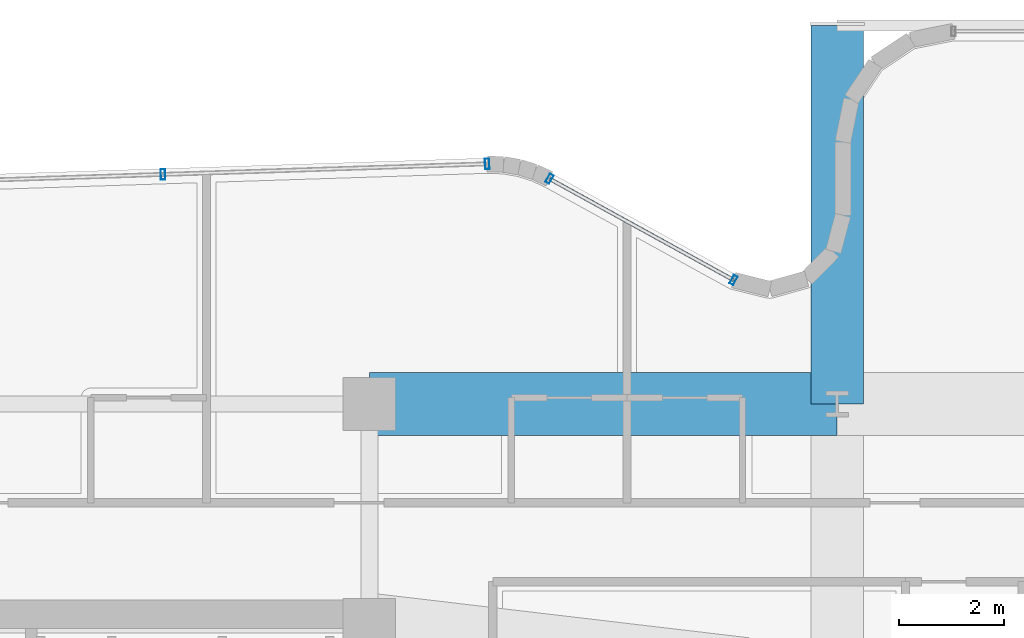
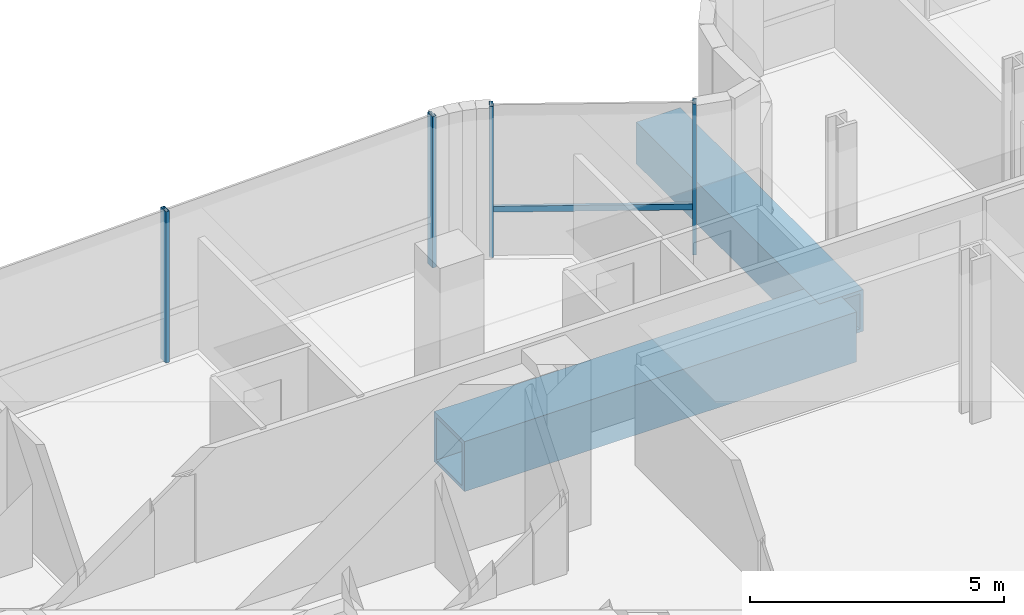
# One storey, part 20 of 36: 5 members, 2 beams, 2 elements without a shape of their own.
"""IFC4 building model written with IfcOpenShell, lengths in metres."""

from ifc_helpers import new_model, si_unit, direction, frame, origin, origin_2d, place, context, subcontext, project, spatial, hollow_rectangle, extrude, source, transform, mapped, material, material_profile, profile_set, type_object, element, aggregate, save


model = new_model("IFC4")

# Units and contexts
model_context = context("Model", 3, precision=1e-05, world=origin(), true_north=direction((0.0, 1.0)))
body_context = subcontext(model_context, "Body", "Model", "MODEL_VIEW")
ifc_project = project(units=[si_unit("LENGTHUNIT", "METRE"), si_unit("AREAUNIT", "SQUARE_METRE"), si_unit("VOLUMEUNIT", "CUBIC_METRE"), si_unit("PLANEANGLEUNIT", "RADIAN"), si_unit("MASSUNIT", "GRAM", prefix="KILO")], contexts=[model_context])

# Site, building, storey
site_placement = place(None, origin())
site = spatial("IfcSite", under=ifc_project, at=site_placement, CompositionType="ELEMENT")
building_placement = place(site_placement, origin())
building = spatial("IfcBuilding", under=site, at=building_placement, Name="Valdorenza Pilgrim Sanctuary Tower", CompositionType="ELEMENT")
storey_placement = place(building_placement, frame((0.0, 0.0, 176.550048828125)))
storey = spatial("IfcBuildingStorey", under=building, at=storey_placement, Name="L45", CompositionType="ELEMENT", Elevation=176.550048828125)

# Beams
ifc_material_1 = material(Name="Steel ASTM A572 Grade 42", Category="steel")
ifc_material_profile_1 = material_profile(ifc_material_1, hollow_rectangle(XDim=1.199951171875, YDim=1.199951171875, WallThickness=0.090087890625, at=origin_2d()), Name="BOX 1200x1200x90")
ifc_profile_set_1 = profile_set([ifc_material_profile_1], Name="Steel ASTM A572 Grade 42")
beam_type_1 = type_object("IfcBeamType", Name="STR-BM-TRF-1200", PredefinedType="BEAM", material=ifc_profile_set_1)
shared_shape_1 = source(origin(), body_context, "Body", "SweptSolid", [
    extrude(hollow_rectangle(XDim=1.199951171875, YDim=1.199951171875, WallThickness=0.090087890625, at=origin_2d()), origin(), (0.0, 0.0, 1.0), 8.89990234375),
])
beam_1_placement = place(storey_placement, frame((-12.39990234375, 14.800048828125, -0.920166015625), z_axis=(1.0, 0.0, 0.0), x_axis=(0.0, 1.0, 0.0)))
element("IfcBeam", 1, at=beam_1_placement, inside=storey, type_object=beam_type_1, Name="L45 Portal Bridge Transfer Girder PRY-G1-P14", PredefinedType="BEAM", context=body_context, shape_type="MappedRepresentation", body=[
    mapped(shared_shape_1, transform((0.0, 0.0, 0.0), x_axis=(1.0, 0.0, 0.0), y_axis=(0.0, 1.0, 0.0), z_axis=(0.0, 0.0, 1.0), scale=1.0)),
])
ifc_material_profile_2 = material_profile(ifc_material_1, hollow_rectangle(XDim=1.0, YDim=1.0, WallThickness=0.080078125, at=origin_2d()), Name="BOX 1000x1000x80")
ifc_profile_set_2 = profile_set([ifc_material_profile_2], Name="Steel ASTM A572 Grade 42")
beam_type_2 = type_object("IfcBeamType", Name="STR-BM-PROW-CANT", PredefinedType="BEAM", material=ifc_profile_set_2)
shared_shape_2 = source(origin(), body_context, "Body", "SweptSolid", [
    extrude(hollow_rectangle(XDim=1.0, YDim=1.0, WallThickness=0.080078125, at=origin_2d()), origin(), (0.0, 0.0, 1.0), 7.199951171875),
])
beam_2_placement = place(storey_placement, frame((-3.5, 14.800048828125, -0.820068359375), z_axis=(0.0, 1.0, 0.0), x_axis=(-1.0, 0.0, 0.0)))
element("IfcBeam", 2, at=beam_2_placement, inside=storey, type_object=beam_type_2, Name="L45 North Sanctuary Prow Cantilever PROW-CANT-N-W", PredefinedType="BEAM", context=body_context, shape_type="MappedRepresentation", body=[
    mapped(shared_shape_2, transform((0.0, 0.0, 0.0), x_axis=(1.0, 0.0, 0.0), y_axis=(0.0, 1.0, 0.0), z_axis=(0.0, 0.0, 1.0), scale=1.0)),
])

# Curtain wall, member
ifc_material_2 = material(Name="Curtain-wall IGU glazing", Category="glass")
curtain_wall_type_1 = type_object("IfcCurtainWallType", Name="CW-SYS-05", PredefinedType="NOTDEFINED", material=ifc_material_2)
curtain_wall_1_placement = place(storey_placement, origin())
curtain_wall_1 = element("IfcCurtainWall", 3, at=curtain_wall_1_placement, inside=storey, type_object=curtain_wall_type_1, Name="L45 Curtain Wall CW-L45-1-11", PredefinedType="NOTDEFINED")
ifc_material_3 = material(Name="Anodised aluminium AW-6060", Category="aluminium")
ifc_material_profile_3 = material_profile(ifc_material_3, hollow_rectangle(XDim=0.070068359375, YDim=0.139892578125, WallThickness=0.00341796875, at=origin_2d()), Name="ALU-T 140x70x3.5")
ifc_profile_set_3 = profile_set([ifc_material_profile_3], Name="Anodised aluminium AW-6060")
member_type_1 = type_object("IfcMemberType", Name="CW-TRN-05", PredefinedType="USERDEFINED", material=ifc_profile_set_3)
shared_shape_3 = source(origin(), body_context, "Body", "SweptSolid", [
    extrude(hollow_rectangle(XDim=0.070068359375, YDim=0.139892578125, WallThickness=0.00341796875, at=origin_2d()), origin(), (0.0, 0.0, 1.0), 3.99609375),
])
member_1_placement = place(storey_placement, frame((-8.972900390625, 19.084716796875, 1.119873046875), z_axis=(0.876178497897, -0.48198676312, 0.0), x_axis=(0.48198676312, 0.876178497897, 0.0)))
member_1 = element("IfcMember", 4, at=member_1_placement, type_object=member_type_1, Name="CW-L45-1-11 Transom 1", ObjectType="TRANSOM", PredefinedType="USERDEFINED", context=body_context, shape_type="MappedRepresentation", body=[
    mapped(shared_shape_3, transform((0.0, 0.0, 0.0), x_axis=(1.0, 0.0, 0.0), y_axis=(0.0, 1.0, 0.0), z_axis=(0.0, 0.0, 1.0), scale=1.0)),
])

# Curtain wall, members
curtain_wall_type_2 = type_object("IfcCurtainWallType", Name="CW-SYS-02", PredefinedType="NOTDEFINED", material=ifc_material_2)
curtain_wall_2_placement = place(storey_placement, origin())
curtain_wall_2 = element("IfcCurtainWall", 5, at=curtain_wall_2_placement, inside=storey, type_object=curtain_wall_type_2, Name="L45 Curtain Wall CW-L45-1-6", PredefinedType="NOTDEFINED")
ifc_material_profile_4 = material_profile(ifc_material_3, hollow_rectangle(XDim=0.0849609375, YDim=0.199951171875, WallThickness=0.0048828125, at=origin_2d()), Name="ALU-M 200x85x5")
ifc_profile_set_4 = profile_set([ifc_material_profile_4], Name="Anodised aluminium AW-6060")
member_type_2 = type_object("IfcMemberType", Name="CW-MUL-02", PredefinedType="MULLION", material=ifc_profile_set_4)
shared_shape_4 = source(origin(), body_context, "Body", "SweptSolid", [
    extrude(hollow_rectangle(XDim=0.0849609375, YDim=0.199951171875, WallThickness=0.0048828125, at=origin_2d()), origin(), (0.0, 0.0, 1.0), 3.6298828125),
])
member_2_placement = place(storey_placement, frame((-16.32666015625, 19.167724609375, 0.0), z_axis=(0.0, 0.0, 1.0), x_axis=(0.999470282811, 0.032544642846, 0.0)))
member_2 = element("IfcMember", 6, at=member_2_placement, type_object=member_type_2, Name="CW-L45-1-6 Mullion 3", PredefinedType="MULLION", context=body_context, shape_type="MappedRepresentation", body=[
    mapped(shared_shape_4, transform((0.0, 0.0, 0.0), x_axis=(1.0, 0.0, 0.0), y_axis=(0.0, 1.0, 0.0), z_axis=(0.0, 0.0, 1.0), scale=1.0)),
])
member_3_placement = place(storey_placement, frame((-10.157958984375, 19.368408203125, 0.0), z_axis=(0.0, 0.0, 1.0), x_axis=(0.999470282811, 0.032544642846, 0.0)))
member_3 = element("IfcMember", 7, at=member_3_placement, type_object=member_type_2, Name="CW-L45-1-6 Mullion 4", PredefinedType="MULLION", context=body_context, shape_type="MappedRepresentation", body=[
    mapped(shared_shape_4, transform((0.0, 0.0, 0.0), x_axis=(1.0, 0.0, 0.0), y_axis=(0.0, 1.0, 0.0), z_axis=(0.0, 0.0, 1.0), scale=1.0)),
])
aggregate(curtain_wall_2, [member_2, member_3])

# Member
ifc_material_profile_5 = material_profile(ifc_material_3, hollow_rectangle(XDim=0.080078125, YDim=0.179931640625, WallThickness=0.00439453125, at=origin_2d()), Name="ALU-M 180x80x4.5")
ifc_profile_set_5 = profile_set([ifc_material_profile_5], Name="Anodised aluminium AW-6060")
member_type_3 = type_object("IfcMemberType", Name="CW-MUL-05", PredefinedType="MULLION", material=ifc_profile_set_5)
shared_shape_5 = source(origin(), body_context, "Body", "SweptSolid", [
    extrude(hollow_rectangle(XDim=0.080078125, YDim=0.179931640625, WallThickness=0.00439453125, at=origin_2d()), origin(), (0.0, 0.0, 1.0), 3.6298828125),
])
member_4_placement = place(storey_placement, frame((-8.972900390625, 19.084716796875, 0.0), z_axis=(0.0, 0.0, 1.0), x_axis=(0.876214173829, -0.481921904027, 0.0)))
member_4 = element("IfcMember", 8, at=member_4_placement, type_object=member_type_3, Name="CW-L45-1-11 Mullion 1", PredefinedType="MULLION", context=body_context, shape_type="MappedRepresentation", body=[
    mapped(shared_shape_5, transform((0.0, 0.0, 0.0), x_axis=(1.0, 0.0, 0.0), y_axis=(0.0, 1.0, 0.0), z_axis=(0.0, 0.0, 1.0), scale=1.0)),
])

member_5_placement = place(storey_placement, frame((-5.4716796875, 17.15869140625, 0.0), z_axis=(0.0, 0.0, 1.0), x_axis=(0.876214173829, -0.481921904027, 0.0)))
member_5 = element("IfcMember", 9, at=member_5_placement, type_object=member_type_3, Name="CW-L45-1-11 Mullion 2", PredefinedType="MULLION", context=body_context, shape_type="MappedRepresentation", body=[
    mapped(shared_shape_5, transform((0.0, 0.0, 0.0), x_axis=(1.0, 0.0, 0.0), y_axis=(0.0, 1.0, 0.0), z_axis=(0.0, 0.0, 1.0), scale=1.0)),
])

aggregate(curtain_wall_1, [member_4, member_5, member_1])

save(model, "model.ifc")
